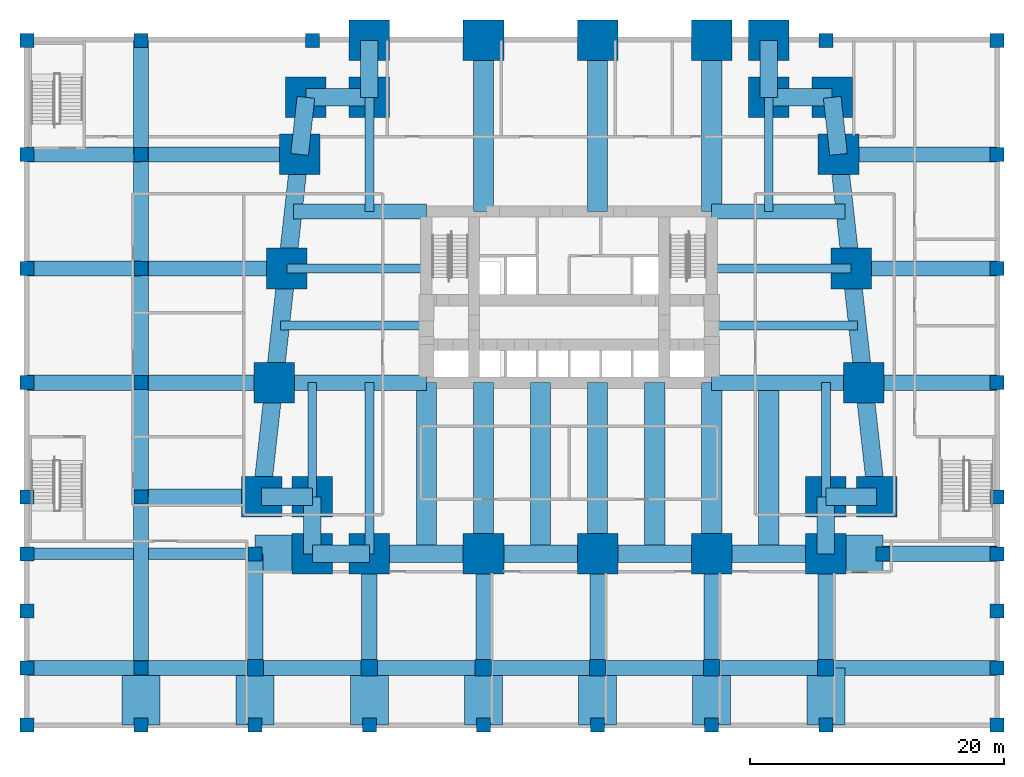
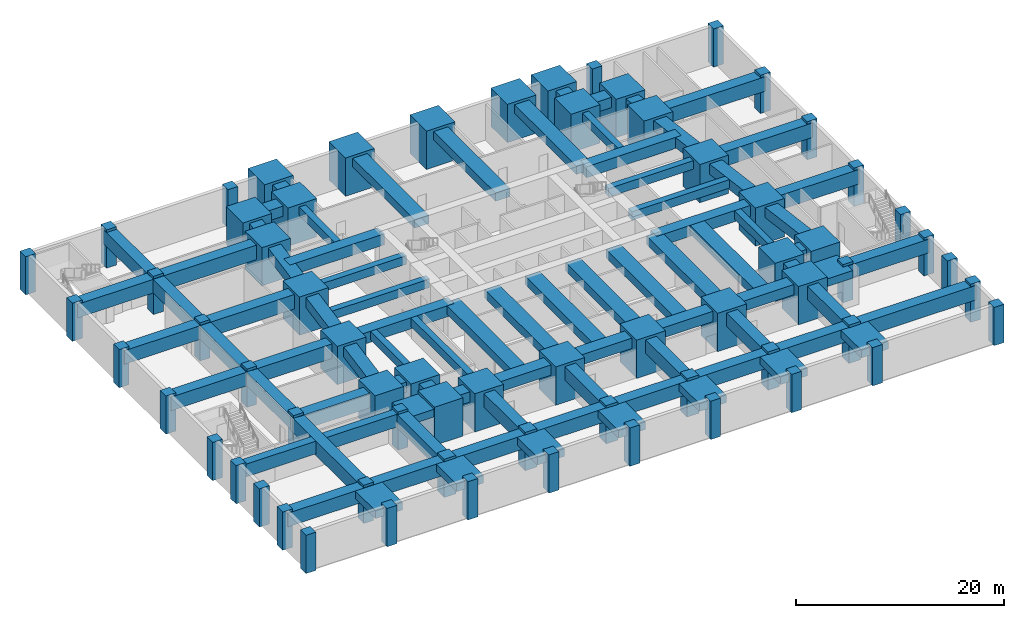
# One storey, part 1 of 8: 85 beams, 66 columns.
"""IFC4 building model written with IfcOpenShell, lengths in metres."""

import ifcopenshell
import ifcopenshell.guid

model = None  # the IFC model being written
_history = None  # IfcOwnerHistory: only IFC2X3 demands one
_inside = {}  # id of a spatial element -> (the spatial element, [elements in it])
_under = {}  # id of a project, library or spatial element -> (it, [spatial elements below it])
_declared = {}  # id of a project -> (the project, [libraries it declares])
_typed = {}  # id of a type object -> (the type object, [elements of that type])
_made_of = {}  # id of a material, layer set ... -> (it, [elements and type objects made of it])


def new_model(schema):
    """Start an empty IFC model of exactly this schema.

    Asked for "IFC4X3", IfcOpenShell would pick the latest addendum, in which some entities
    have other attributes; the version numbers below select the first issue.
    IFC2X3 requires an IfcOwnerHistory on every rooted entity: one is made here for all.
    """
    global model, _history
    if schema == "IFC4X3":
        model = ifcopenshell.file(schema_version=(4, 3, 0, 0))
    else:
        model = ifcopenshell.file(schema=schema)
    _inside.clear()
    _under.clear()
    _declared.clear()
    _typed.clear()
    _made_of.clear()
    _history = None
    if model.schema == "IFC2X3":
        org = make("IfcOrganization", Name="unknown")
        user = make(
            "IfcPersonAndOrganization",
            ThePerson=make("IfcPerson", FamilyName="unknown"),
            TheOrganization=org,
        )
        app = make(
            "IfcApplication",
            ApplicationDeveloper=org,
            Version="unknown",
            ApplicationFullName="unknown",
            ApplicationIdentifier="unknown",
        )
        _history = make(
            "IfcOwnerHistory",
            OwningUser=user,
            OwningApplication=app,
            ChangeAction="ADDED",
            CreationDate=0,
        )
    return model


def make(cls, **values):
    """One entity of the class cls with the attributes given. An attribute that is None is left unset."""
    return model.create_entity(
        cls, **{name: value for name, value in values.items() if value is not None}
    )


def rooted(cls, **values):
    """An entity with a GlobalId (a new one), such as an element, a storey or a relation."""
    return make(cls, GlobalId=ifcopenshell.guid.new(), OwnerHistory=_history, **values)


def si_unit(unit_type, name, prefix=None):
    """IfcSIUnit, for example si_unit("LENGTHUNIT", "METRE", prefix="MILLI")."""
    return make("IfcSIUnit", UnitType=unit_type, Prefix=prefix, Name=name)


def assignment(units):
    """IfcUnitAssignment: the units of a project."""
    return None if units is None else make("IfcUnitAssignment", Units=units)


def point(xyz):
    """IfcCartesianPoint."""
    return None if xyz is None else make("IfcCartesianPoint", Coordinates=xyz)


def direction(xyz):
    """IfcDirection."""
    return None if xyz is None else make("IfcDirection", DirectionRatios=xyz)


def frame(location, z_axis=None, x_axis=None):
    """IfcAxis2Placement3D, a coordinate frame: its origin and axes. An axis left out is left unset."""
    return make(
        "IfcAxis2Placement3D",
        Location=point(location),
        Axis=direction(z_axis),
        RefDirection=direction(x_axis),
    )


def frame_2d(location, x_axis=None):
    """IfcAxis2Placement2D, a coordinate frame in the plane: its origin and x axis."""
    return make(
        "IfcAxis2Placement2D", Location=point(location), RefDirection=direction(x_axis)
    )


def origin():
    """The frame at (0, 0, 0) with its axes left unset."""
    return frame((0.0, 0.0, 0.0))


def origin_2d():
    """The frame at (0, 0) in the plane with its x axis left unset."""
    return frame_2d((0.0, 0.0))


def place(relative_to, where):
    """IfcLocalPlacement: puts the frame where relative to a parent placement (None: the world)."""
    return make(
        "IfcLocalPlacement", PlacementRelTo=relative_to, RelativePlacement=where
    )


def context(
    kind, dimensions, precision=None, world=None, true_north=None, identifier=None
):
    """IfcGeometricRepresentationContext, for example the 3D "Model" context."""
    return make(
        "IfcGeometricRepresentationContext",
        ContextIdentifier=identifier,
        ContextType=kind,
        CoordinateSpaceDimension=dimensions,
        Precision=precision,
        WorldCoordinateSystem=world,
        TrueNorth=true_north,
    )


def subcontext(parent, identifier, kind, view, scale=None):
    """IfcGeometricRepresentationSubContext, for example "Body" below "Model"."""
    return make(
        "IfcGeometricRepresentationSubContext",
        ContextIdentifier=identifier,
        ContextType=kind,
        ParentContext=parent,
        TargetScale=scale,
        TargetView=view,
    )


def project(units=None, contexts=None):
    """IfcProject with its units and contexts."""
    return rooted(
        "IfcProject",
        Name="project",
        RepresentationContexts=contexts,
        UnitsInContext=assignment(units),
    )


def spatial(cls, under=None, at=None, **own):
    """A site, building, storey or space (cls), placed at a placement, below another one or the project."""
    s = rooted(cls, ObjectPlacement=at, **own)
    if under is not None:
        _under.setdefault(under.id(), (under, []))[1].append(s)
    return s


def profile(cls, at=None, kind="AREA", **sizes):
    """A parametric profile (cls). Its sizes go by their IFC names, for example OverallWidth=200.0."""
    return make(cls, ProfileType=kind, Position=at, **sizes)


def rectangle(**sizes):
    """IfcRectangleProfileDef."""
    return profile("IfcRectangleProfileDef", **sizes)


def extrude(swept, where, along, depth):
    """IfcExtrudedAreaSolid: the profile swept, set in the frame where, extruded along a direction by depth."""
    return make(
        "IfcExtrudedAreaSolid",
        SweptArea=swept,
        Position=where,
        ExtrudedDirection=direction(along),
        Depth=depth,
    )


def shape(context_of_items, identifier, shape_type, items):
    """IfcShapeRepresentation: the items that make up one representation, for example the "Body"."""
    return make(
        "IfcShapeRepresentation",
        ContextOfItems=context_of_items,
        RepresentationIdentifier=identifier,
        RepresentationType=shape_type,
        Items=items,
    )


def material(Name=None, Category=None):
    """IfcMaterial."""
    return make("IfcMaterial", Name=Name, Category=Category)


def material_profile(
    of_material, cross_section, Name=None, Category=None, Priority=None
):
    """IfcMaterialProfile: a cross section and its material."""
    return make(
        "IfcMaterialProfile",
        Name=Name,
        Material=of_material,
        Profile=cross_section,
        Priority=Priority,
        Category=Category,
    )


def profile_set(profiles, Name=None, composite=None):
    """IfcMaterialProfileSet."""
    return make(
        "IfcMaterialProfileSet",
        Name=Name,
        MaterialProfiles=profiles,
        CompositeProfile=composite,
    )


def made_of(thing, what):
    """Note that an element or type object is made of a material, layer set ...; save() writes the relation."""
    if what is not None:
        _made_of.setdefault(what.id(), (what, []))[1].append(thing)
    return thing


def type_object(cls, material=None, **own):
    """A type object (cls), such as IfcWallType, which elements share."""
    return made_of(rooted(cls, **own), material)


def element(
    cls,
    number,
    at=None,
    inside=None,
    cuts=None,
    type_object=None,
    material=None,
    context=None,
    identifier="Body",
    shape_type=None,
    held_by="IfcProductDefinitionShape",
    body=None,
    shapes=None,
    **own,
):
    """One element of the class cls, such as IfcWall. Its Tag is "e" and its number.

    at: its placement. inside: the storey or other place that contains it. cuts: it is an
    opening in that element (IfcRelVoidsElement). A single representation is given by context,
    identifier, shape_type and body (its items); several are given by shapes. held_by: the class
    of the entity that holds the representations. save() writes the other relations.
    """
    e = rooted(cls, Tag="e%d" % number, ObjectPlacement=at, **own)
    if body is not None:
        shapes = [shape(context, identifier, shape_type, body)]
    if shapes is not None:
        e.Representation = make(held_by, Representations=shapes)
    if inside is not None:
        _inside.setdefault(inside.id(), (inside, []))[1].append(e)
    if cuts is not None:
        rooted(
            "IfcRelVoidsElement", RelatingBuildingElement=cuts, RelatedOpeningElement=e
        )
    if type_object is not None:
        _typed.setdefault(type_object.id(), (type_object, []))[1].append(e)
    return made_of(e, material)


def aggregate(whole, parts):
    """IfcRelAggregates: a whole, such as a stair, and the parts it consists of."""
    return rooted("IfcRelAggregates", RelatingObject=whole, RelatedObjects=parts)


def save(model, path):
    """Write the relations noted so far, then the file.

    IfcRelAggregates (storeys below a building ...), IfcRelContainedInSpatialStructure (elements
    in a storey), IfcRelDefinesByType, IfcRelAssociatesMaterial and IfcRelDeclares: one each for
    every whole, place, type object, material and project.
    """
    for whole, parts in _under.values():
        aggregate(whole, parts)
    for where, things in _inside.values():
        rooted(
            "IfcRelContainedInSpatialStructure",
            RelatedElements=things,
            RelatingStructure=where,
        )
    for kind, things in _typed.values():
        rooted("IfcRelDefinesByType", RelatedObjects=things, RelatingType=kind)
    for what, things in _made_of.values():
        rooted("IfcRelAssociatesMaterial", RelatedObjects=things, RelatingMaterial=what)
    for by, libraries in _declared.values():
        rooted("IfcRelDeclares", RelatingContext=by, RelatedDefinitions=libraries)
    model.write(path)


model = new_model("IFC4")

# Units and contexts
model_context = context("Model", 3, precision=1e-05, world=origin(), true_north=direction((0.0, 1.0)))
body_context = subcontext(model_context, "Body", "Model", "MODEL_VIEW")
ifc_project = project(units=[si_unit("LENGTHUNIT", "METRE"), si_unit("AREAUNIT", "SQUARE_METRE"), si_unit("VOLUMEUNIT", "CUBIC_METRE"), si_unit("PLANEANGLEUNIT", "RADIAN"), si_unit("MASSUNIT", "GRAM", prefix="KILO")], contexts=[model_context])

# Site, building, storey
site_placement = place(None, origin())
site = spatial("IfcSite", under=ifc_project, at=site_placement, CompositionType="ELEMENT")
building_placement = place(site_placement, origin())
building = spatial("IfcBuilding", under=site, at=building_placement, Name="Kilele Tower Hotel", CompositionType="ELEMENT")
storey_placement = place(building_placement, frame((0.0, 0.0, -4.5)))
storey = spatial("IfcBuildingStorey", under=building, at=storey_placement, Name="B1", CompositionType="ELEMENT", Elevation=-4.5)

# Columns
ifc_material_1 = material(Name="Concrete C60/75", Category="concrete")
ifc_material_profile_1 = material_profile(ifc_material_1, rectangle(XDim=1.10009765625, YDim=1.10009765625, at=origin_2d()))
ifc_profile_set_1 = profile_set([ifc_material_profile_1], Name="Concrete C60/75")
column_type_1 = type_object("IfcColumnType", Name="Column RC 1100x1100 C60/75", PredefinedType="COLUMN", material=ifc_profile_set_1)
for number, where, z_axis, x_axis, name in (
    (1, (-18.0, -13.5, 0.0), (0.0, 0.0, 1.0), (1.0, 0.0, 0.0), "Column PC1 B1"),
    (2, (-9.0, -13.5, 0.0), (0.0, 0.0, 1.0), (1.0, 0.0, 0.0), "Column PC1 B1"),
    (3, (58.5, -13.5, 0.0), (0.0, 0.0, 1.0), (1.0, 0.0, 0.0), "Column PC1 B1"),
    (4, (-18.0, -4.5, 0.0), (0.0, 0.0, 1.0), (1.0, 0.0, 0.0), "Column PC1 B1"),
    (5, (58.5, -4.5, 0.0), (0.0, 0.0, 1.0), (1.0, 0.0, 0.0), "Column PC1 B1"),
    (6, (-18.0, 4.5, 0.0), (0.0, 0.0, 1.0), (1.0, 0.0, 0.0), "Column PC1 B1"),
    (7, (-9.0, 4.5, 0.0), (0.0, 0.0, 1.0), (1.0, 0.0, 0.0), "Column PC1 B1"),
    (8, (58.5, 4.5, 0.0), (0.0, 0.0, 1.0), (1.0, 0.0, 0.0), "Column PC1 B1"),
    (9, (-18.0, 13.5, 0.0), (0.0, 0.0, 1.0), (1.0, 0.0, 0.0), "Column PC1 B1"),
    (10, (-9.0, 13.5, 0.0), (0.0, 0.0, 1.0), (1.0, 0.0, 0.0), "Column PC1 B1"),
    (11, (58.5, 13.5, 0.0), (0.0, 0.0, 1.0), (1.0, 0.0, 0.0), "Column PC1 B1"),
    (12, (-18.0, 22.5, 0.0), (0.0, 0.0, 1.0), (1.0, 0.0, 0.0), "Column PC1 B1"),
    (13, (-9.0, 22.5, 0.0), (0.0, 0.0, 1.0), (1.0, 0.0, 0.0), "Column PC1 B1"),
    (14, (58.5, 22.5, 0.0), (0.0, 0.0, 1.0), (1.0, 0.0, 0.0), "Column PC1 B1"),
    (15, (-18.0, 31.5, 0.0), (0.0, 0.0, 1.0), (1.0, 0.0, 0.0), "Column PC1 B1"),
    (16, (-9.0, 31.5, 0.0), (0.0, 0.0, 1.0), (1.0, 0.0, 0.0), "Column PC1 B1"),
    (17, (58.5, 31.5, 0.0), (0.0, 0.0, 1.0), (1.0, 0.0, 0.0), "Column PC1 B1"),
    (18, (-18.0, 40.5, 0.0), (0.0, 0.0, 1.0), (1.0, 0.0, 0.0), "Column PC1 B1"),
    (19, (-9.0, 40.5, 0.0), (0.0, 0.0, 1.0), (1.0, 0.0, 0.0), "Column PC1 B1"),
    (20, (58.5, 40.5, 0.0), (0.0, 0.0, 1.0), (1.0, 0.0, 0.0), "Column PC1 B1"),
    (21, (-18.0, 0.0, 0.0), (0.0, 0.0, 1.0), (1.0, 0.0, 0.0), "Column PC1 B1"),
    (22, (58.5, 0.0, 0.0), (0.0, 0.0, 1.0), (1.0, 0.0, 0.0), "Column PC1 B1"),
    (23, (0.0, -13.5, 0.0), (0.0, 0.0, 1.0), (1.0, 0.0, 0.0), "Column PC1 B1"),
    (24, (9.0, -13.5, 0.0), (0.0, 0.0, 1.0), (1.0, 0.0, 0.0), "Column PC1 B1"),
    (25, (18.0, -13.5, 0.0), (0.0, 0.0, 1.0), (1.0, 0.0, 0.0), "Column PC1 B1"),
    (26, (27.0, -13.5, 0.0), (0.0, 0.0, 1.0), (1.0, 0.0, 0.0), "Column PC1 B1"),
    (27, (36.0, -13.5, 0.0), (0.0, 0.0, 1.0), (1.0, 0.0, 0.0), "Column PC1 B1"),
    (28, (45.0, -13.5, 0.0), (0.0, 0.0, 1.0), (1.0, 0.0, 0.0), "Column PC1 B1"),
    (29, (-18.0, -9.0, 0.0), (0.0, 0.0, 1.0), (1.0, 0.0, 0.0), "Column PC1 B1"),
    (30, (58.5, -9.0, 0.0), (0.0, 0.0, 1.0), (1.0, 0.0, 0.0), "Column PC1 B1"),
    (31, (-9.0, -9.0, 0.0), (0.0, 0.0, 1.0), (1.0, 0.0, 0.0), "Column PC1 B1"),
    (32, (0.0, 0.0, 0.0), (0.0, 0.0, 1.0), (1.0, 0.0, 0.0), "Column PC1 B1"),
    (33, (49.5, 0.0, 0.0), (0.0, 0.0, 1.0), (1.0, 0.0, 0.0), "Column PC1 B1"),
    (34, (4.5, 40.5, 0.0), (0.0, 0.0, 1.0), (1.0, 0.0, 0.0), "Column PC1 B1"),
    (35, (45.0, 40.5, 0.0), (0.0, 0.0, 1.0), (1.0, 0.0, 0.0), "Column PC1 B1"),
):
    element("IfcColumn", number, at=place(storey_placement, frame(where, z_axis=z_axis, x_axis=x_axis)), inside=storey, type_object=column_type_1, Name=name, PredefinedType="COLUMN", context=body_context, shape_type="SweptSolid", body=[
        extrude(rectangle(XDim=1.10009765625, YDim=1.10009765625, at=origin_2d()), origin(), (0.0, 0.0, 1.0), 4.5),
    ])
ifc_material_2 = material(Name="Concrete C60/75", Category="concrete")
ifc_material_profile_2 = material_profile(ifc_material_2, rectangle(XDim=1.300048828125, YDim=1.300048828125, at=origin_2d()))
ifc_profile_set_2 = profile_set([ifc_material_profile_2], Name="Concrete C60/75")
column_type_2 = type_object("IfcColumnType", Name="Column RC 1300x1300 C60/75", PredefinedType="COLUMN", material=ifc_profile_set_2)
for number, where, z_axis, x_axis, name in (
    (36, (0.0, -9.0, 0.0), (0.0, 0.0, 1.0), (1.0, 0.0, 0.0), "Column PC2 B1"),
    (37, (9.0, -9.0, 0.0), (0.0, 0.0, 1.0), (1.0, 0.0, 0.0), "Column PC2 B1"),
    (38, (18.0, -9.0, 0.0), (0.0, 0.0, 1.0), (1.0, 0.0, 0.0), "Column PC2 B1"),
    (39, (27.0, -9.0, 0.0), (0.0, 0.0, 1.0), (1.0, 0.0, 0.0), "Column PC2 B1"),
    (40, (36.0, -9.0, 0.0), (0.0, 0.0, 1.0), (1.0, 0.0, 0.0), "Column PC2 B1"),
    (41, (45.0, -9.0, 0.0), (0.0, 0.0, 1.0), (1.0, 0.0, 0.0), "Column PC2 B1"),
):
    element("IfcColumn", number, at=place(storey_placement, frame(where, z_axis=z_axis, x_axis=x_axis)), inside=storey, type_object=column_type_2, Name=name, PredefinedType="COLUMN", context=body_context, shape_type="SweptSolid", body=[
        extrude(rectangle(XDim=1.300048828125, YDim=1.300048828125, at=origin_2d()), origin(), (0.0, 0.0, 1.0), 4.5),
    ])
ifc_material_3 = material(Name="Concrete C80/95", Category="concrete")
ifc_material_profile_3 = material_profile(ifc_material_3, rectangle(XDim=3.199951171875, YDim=3.199951171875, at=origin_2d()))
ifc_profile_set_3 = profile_set([ifc_material_profile_3], Name="Concrete C80/95")
column_type_3 = type_object("IfcColumnType", Name="Mega column RC 3200x3200 C80/95", PredefinedType="COLUMN", material=ifc_profile_set_3)
for number, where, z_axis, x_axis, name in (
    (42, (0.5, 4.5, 0.0), (0.0, 0.0, 1.0), (1.0, 0.0, 0.0), "Column MC1 B1"),
    (43, (4.5, 4.5, 0.0), (0.0, 0.0, 1.0), (1.0, 0.0, 0.0), "Column MC1 B1"),
    (44, (4.5, 0.0, 0.0), (0.0, 0.0, 1.0), (1.0, 0.0, 0.0), "Column MC1 B1"),
    (45, (9.0, 0.0, 0.0), (0.0, 0.0, 1.0), (1.0, 0.0, 0.0), "Column MC1 B1"),
    (46, (18.0, 0.0, 0.0), (0.0, 0.0, 1.0), (1.0, 0.0, 0.0), "Column MC1 B1"),
    (47, (27.0, 0.0, 0.0), (0.0, 0.0, 1.0), (1.0, 0.0, 0.0), "Column MC1 B1"),
    (48, (36.0, 0.0, 0.0), (0.0, 0.0, 1.0), (1.0, 0.0, 0.0), "Column MC1 B1"),
    (49, (45.0, 0.0, 0.0), (0.0, 0.0, 1.0), (1.0, 0.0, 0.0), "Column MC1 B1"),
    (50, (45.0, 4.5, 0.0), (0.0, 0.0, 1.0), (1.0, 0.0, 0.0), "Column MC1 B1"),
    (51, (49.0, 4.5, 0.0), (0.0, 0.0, 1.0), (1.0, 0.0, 0.0), "Column MC1 B1"),
    (52, (48.0, 13.5, 0.0), (0.0, 0.0, 1.0), (1.0, 0.0, 0.0), "Column MC1 B1"),
    (53, (47.0, 22.5, 0.0), (0.0, 0.0, 1.0), (1.0, 0.0, 0.0), "Column MC1 B1"),
    (54, (46.0, 31.5, 0.0), (0.0, 0.0, 1.0), (1.0, 0.0, 0.0), "Column MC1 B1"),
    (55, (45.5, 36.0, 0.0), (0.0, 0.0, 1.0), (1.0, 0.0, 0.0), "Column MC1 B1"),
    (56, (40.5, 36.0, 0.0), (0.0, 0.0, 1.0), (1.0, 0.0, 0.0), "Column MC1 B1"),
    (57, (40.5, 40.5, 0.0), (0.0, 0.0, 1.0), (1.0, 0.0, 0.0), "Column MC1 B1"),
    (58, (36.0, 40.5, 0.0), (0.0, 0.0, 1.0), (1.0, 0.0, 0.0), "Column MC1 B1"),
    (59, (27.0, 40.5, 0.0), (0.0, 0.0, 1.0), (1.0, 0.0, 0.0), "Column MC1 B1"),
    (60, (18.0, 40.5, 0.0), (0.0, 0.0, 1.0), (1.0, 0.0, 0.0), "Column MC1 B1"),
    (61, (9.0, 40.5, 0.0), (0.0, 0.0, 1.0), (1.0, 0.0, 0.0), "Column MC1 B1"),
    (62, (9.0, 36.0, 0.0), (0.0, 0.0, 1.0), (1.0, 0.0, 0.0), "Column MC1 B1"),
    (63, (4.0, 36.0, 0.0), (0.0, 0.0, 1.0), (1.0, 0.0, 0.0), "Column MC1 B1"),
    (64, (3.5, 31.5, 0.0), (0.0, 0.0, 1.0), (1.0, 0.0, 0.0), "Column MC1 B1"),
    (65, (2.5, 22.5, 0.0), (0.0, 0.0, 1.0), (1.0, 0.0, 0.0), "Column MC1 B1"),
    (66, (1.5, 13.5, 0.0), (0.0, 0.0, 1.0), (1.0, 0.0, 0.0), "Column MC1 B1"),
):
    element("IfcColumn", number, at=place(storey_placement, frame(where, z_axis=z_axis, x_axis=x_axis)), inside=storey, type_object=column_type_3, Name=name, PredefinedType="COLUMN", context=body_context, shape_type="SweptSolid", body=[
        extrude(rectangle(XDim=3.199951171875, YDim=3.199951171875, at=origin_2d()), origin(), (0.0, 0.0, 1.0), 4.5),
    ])

# Beams
ifc_material_4 = material(Name="Concrete C60/75", Category="concrete")
ifc_material_profile_4 = material_profile(ifc_material_4, rectangle(XDim=1.199951171875, YDim=1.60009765625, at=origin_2d()))
ifc_profile_set_4 = profile_set([ifc_material_profile_4], Name="Concrete C60/75")
beam_type_1 = type_object("IfcBeamType", Name="Beam RC 1200x1600 C60/75", PredefinedType="BEAM", material=ifc_profile_set_4)
for number, where, z_axis, x_axis, name in (
    (67, (-9.0, 4.5, 3.39990234375), (0.0, 1.0, 0.0), (-1.0, 0.0, 0.0), "Beam PB2 level L00"),
    (68, (-18.0, 13.5, 3.39990234375), (1.0, 0.0, 0.0), (0.0, 1.0, 0.0), "Beam PB2 level L00"),
    (69, (-9.0, 13.5, 3.39990234375), (0.0, 1.0, 0.0), (-1.0, 0.0, 0.0), "Beam PB2 level L00"),
    (70, (-18.0, 22.5, 3.39990234375), (1.0, 0.0, 0.0), (0.0, 1.0, 0.0), "Beam PB2 level L00"),
    (71, (-9.0, 22.5, 3.39990234375), (0.0, 1.0, 0.0), (-1.0, 0.0, 0.0), "Beam PB2 level L00"),
    (72, (-18.0, 31.5, 3.39990234375), (1.0, 0.0, 0.0), (0.0, 1.0, 0.0), "Beam PB2 level L00"),
    (73, (-9.0, 31.5, 3.39990234375), (0.0, 1.0, 0.0), (-1.0, 0.0, 0.0), "Beam PB2 level L00"),
    (74, (0.0, -9.0, 3.39990234375), (1.0, 0.0, 0.0), (0.0, 1.0, 0.0), "Beam PB2 level L00"),
    (75, (0.0, -9.0, 3.39990234375), (0.0, 1.0, 0.0), (-1.0, 0.0, 0.0), "Beam PB2 level L00"),
    (76, (9.0, -9.0, 3.39990234375), (0.0, 1.0, 0.0), (-1.0, 0.0, 0.0), "Beam PB2 level L00"),
    (77, (9.0, -9.0, 3.39990234375), (1.0, 0.0, 0.0), (0.0, 1.0, 0.0), "Beam PB2 level L00"),
    (78, (18.0, -9.0, 3.39990234375), (0.0, 1.0, 0.0), (-1.0, 0.0, 0.0), "Beam PB2 level L00"),
    (79, (18.0, -9.0, 3.39990234375), (1.0, 0.0, 0.0), (0.0, 1.0, 0.0), "Beam PB2 level L00"),
    (80, (27.0, -9.0, 3.39990234375), (0.0, 1.0, 0.0), (-1.0, 0.0, 0.0), "Beam PB2 level L00"),
    (81, (27.0, -9.0, 3.39990234375), (1.0, 0.0, 0.0), (0.0, 1.0, 0.0), "Beam PB2 level L00"),
    (82, (36.0, -9.0, 3.39990234375), (0.0, 1.0, 0.0), (-1.0, 0.0, 0.0), "Beam PB2 level L00"),
    (83, (36.0, -9.0, 3.39990234375), (1.0, 0.0, 0.0), (0.0, 1.0, 0.0), "Beam PB2 level L00"),
    (84, (45.0, -9.0, 3.39990234375), (0.0, 1.0, 0.0), (-1.0, 0.0, 0.0), "Beam PB2 level L00"),
    (85, (-18.0, -9.0, 3.39990234375), (1.0, 0.0, 0.0), (0.0, 1.0, 0.0), "Beam PB2 level L00"),
    (86, (-9.0, -9.0, 3.39990234375), (1.0, 0.0, 0.0), (0.0, 1.0, 0.0), "Beam PB2 level L00"),
    (87, (49.5, 0.0, 3.39990234375), (1.0, 0.0, 0.0), (0.0, 1.0, 0.0), "Beam PB2 level L00"),
):
    element("IfcBeam", number, at=place(storey_placement, frame(where, z_axis=z_axis, x_axis=x_axis)), inside=storey, type_object=beam_type_1, Name=name, PredefinedType="BEAM", context=body_context, shape_type="SweptSolid", body=[
        extrude(rectangle(XDim=1.199951171875, YDim=1.60009765625, at=origin_2d()), origin(), (0.0, 0.0, 1.0), 9.0),
    ])
ifc_material_5 = material(Name="Concrete C60/75", Category="concrete")
ifc_material_profile_5 = material_profile(ifc_material_5, rectangle(XDim=1.199951171875, YDim=1.699951171875, at=origin_2d()))
ifc_profile_set_5 = profile_set([ifc_material_profile_5], Name="Concrete C60/75")
beam_type_2 = type_object("IfcBeamType", Name="Beam RC 1200x1700 C60/75", PredefinedType="BEAM", material=ifc_profile_set_5)
for number, where, z_axis, x_axis, name in (
    (88, (46.0, 31.5, 3.35009765625), (1.0, 0.0, 0.0), (0.0, 1.0, 0.0), "Beam PB3 level L00"),
    (89, (-9.0, 31.5, 3.35009765625), (1.0, 0.0, 0.0), (0.0, 1.0, 0.0), "Beam PB3 level L00"),
):
    element("IfcBeam", number, at=place(storey_placement, frame(where, z_axis=z_axis, x_axis=x_axis)), inside=storey, type_object=beam_type_2, Name=name, PredefinedType="BEAM", context=body_context, shape_type="SweptSolid", body=[
        extrude(rectangle(XDim=1.199951171875, YDim=1.699951171875, at=origin_2d()), origin(), (0.0, 0.0, 1.0), 12.5),
    ])
for number, where, z_axis, x_axis, name in (
    (90, (45.0, -9.0, 3.35009765625), (1.0, 0.0, 0.0), (0.0, 1.0, 0.0), "Beam PB3 level L00"),
    (91, (-9.0, -9.0, 3.35009765625), (0.0, 1.0, 0.0), (-1.0, 0.0, 0.0), "Beam PB3 level L00"),
):
    element("IfcBeam", number, at=place(storey_placement, frame(where, z_axis=z_axis, x_axis=x_axis)), inside=storey, type_object=beam_type_2, Name=name, PredefinedType="BEAM", context=body_context, shape_type="SweptSolid", body=[
        extrude(rectangle(XDim=1.199951171875, YDim=1.699951171875, at=origin_2d()), origin(), (0.0, 0.0, 1.0), 13.5),
    ])
ifc_material_6 = material(Name="Concrete C60/75", Category="concrete")
ifc_material_profile_6 = material_profile(ifc_material_6, rectangle(XDim=1.199951171875, YDim=1.699951171875, at=origin_2d()))
ifc_profile_set_6 = profile_set([ifc_material_profile_6], Name="Concrete C60/75")
beam_type_3 = type_object("IfcBeamType", Name="Beam RC 1200x1700 C60/75 mid span", PredefinedType="BEAM", material=ifc_profile_set_6)
beam_1_placement = place(storey_placement, frame((48.0, 13.5, 3.35009765625), z_axis=(1.0, 0.0, 0.0), x_axis=(0.0, 1.0, 0.0)))
element("IfcBeam", 92, at=beam_1_placement, inside=storey, type_object=beam_type_3, Name="Beam PB4 level L00", PredefinedType="BEAM", context=body_context, shape_type="SweptSolid", body=[
    extrude(rectangle(XDim=1.199951171875, YDim=1.699951171875, at=origin_2d()), origin(), (0.0, 0.0, 1.0), 10.5),
])
beam_2_placement = place(storey_placement, frame((47.0, 22.5, 3.35009765625), z_axis=(1.0, 0.0, 0.0), x_axis=(0.0, 1.0, 0.0)))
element("IfcBeam", 93, at=beam_2_placement, inside=storey, type_object=beam_type_3, Name="Beam PB4 level L00", PredefinedType="BEAM", context=body_context, shape_type="SweptSolid", body=[
    extrude(rectangle(XDim=1.199951171875, YDim=1.699951171875, at=origin_2d()), origin(), (0.0, 0.0, 1.0), 11.5),
])
beam_3_placement = place(storey_placement, frame((-9.0, 4.5, 3.35009765625), z_axis=(1.0, 0.0, 0.0), x_axis=(0.0, 1.0, 0.0)))
element("IfcBeam", 94, at=beam_3_placement, inside=storey, type_object=beam_type_3, Name="Beam PB4 level L00", PredefinedType="BEAM", context=body_context, shape_type="SweptSolid", body=[
    extrude(rectangle(XDim=1.199951171875, YDim=1.699951171875, at=origin_2d()), origin(), (0.0, 0.0, 1.0), 9.5),
])
beam_4_placement = place(storey_placement, frame((-9.0, 13.5, 3.35009765625), z_axis=(1.0, 0.0, 0.0), x_axis=(0.0, 1.0, 0.0)))
element("IfcBeam", 95, at=beam_4_placement, inside=storey, type_object=beam_type_3, Name="Beam PB4 level L00", PredefinedType="BEAM", context=body_context, shape_type="SweptSolid", body=[
    extrude(rectangle(XDim=1.199951171875, YDim=1.699951171875, at=origin_2d()), origin(), (0.0, 0.0, 1.0), 10.5),
])
beam_5_placement = place(storey_placement, frame((-9.0, 22.5, 3.35009765625), z_axis=(1.0, 0.0, 0.0), x_axis=(0.0, 1.0, 0.0)))
element("IfcBeam", 96, at=beam_5_placement, inside=storey, type_object=beam_type_3, Name="Beam PB4 level L00", PredefinedType="BEAM", context=body_context, shape_type="SweptSolid", body=[
    extrude(rectangle(XDim=1.199951171875, YDim=1.699951171875, at=origin_2d()), origin(), (0.0, 0.0, 1.0), 11.5),
])
ifc_material_7 = material(Name="Concrete C60/75", Category="concrete")
ifc_material_profile_7 = material_profile(ifc_material_7, rectangle(XDim=1.60009765625, YDim=1.0, at=origin_2d()))
ifc_profile_set_7 = profile_set([ifc_material_profile_7], Name="Concrete C60/75")
beam_type_4 = type_object("IfcBeamType", Name="Beam RC 1600x1000 C60/75", PredefinedType="BEAM", material=ifc_profile_set_7)
for number, where, z_axis, x_axis, name in (
    (97, (13.5, 0.0, 3.699951171875), (0.0, 1.0, 0.0), (-1.0, 0.0, 0.0), "Beam BC1 level L00"),
    (98, (18.0, 0.0, 3.699951171875), (0.0, 1.0, 0.0), (-1.0, 0.0, 0.0), "Beam BC1 level L00"),
    (99, (22.5, 0.0, 3.699951171875), (0.0, 1.0, 0.0), (-1.0, 0.0, 0.0), "Beam BC1 level L00"),
    (100, (27.0, 0.0, 3.699951171875), (0.0, 1.0, 0.0), (-1.0, 0.0, 0.0), "Beam BC1 level L00"),
    (101, (31.5, 0.0, 3.699951171875), (0.0, 1.0, 0.0), (-1.0, 0.0, 0.0), "Beam BC1 level L00"),
    (102, (36.0, 0.0, 3.699951171875), (0.0, 1.0, 0.0), (-1.0, 0.0, 0.0), "Beam BC1 level L00"),
    (103, (40.5, 0.0, 3.699951171875), (0.0, 1.0, 0.0), (-1.0, 0.0, 0.0), "Beam BC1 level L00"),
    (104, (36.0, 40.5, 3.699951171875), (0.0, -1.0, 0.0), (1.0, 0.0, 0.0), "Beam BC1 level L00"),
    (105, (27.0, 40.5, 3.699951171875), (0.0, -1.0, 0.0), (1.0, 0.0, 0.0), "Beam BC1 level L00"),
    (106, (18.0, 40.5, 3.699951171875), (0.0, -1.0, 0.0), (1.0, 0.0, 0.0), "Beam BC1 level L00"),
):
    element("IfcBeam", number, at=place(storey_placement, frame(where, z_axis=z_axis, x_axis=x_axis)), inside=storey, type_object=beam_type_4, Name=name, PredefinedType="BEAM", context=body_context, shape_type="SweptSolid", body=[
        extrude(rectangle(XDim=1.60009765625, YDim=1.0, at=origin_2d()), origin(), (0.0, 0.0, 1.0), 13.5),
    ])
ifc_material_8 = material(Name="Concrete C60/75", Category="concrete")
ifc_material_profile_8 = material_profile(ifc_material_8, rectangle(XDim=3.0, YDim=0.89990234375, at=origin_2d()))
ifc_profile_set_8 = profile_set([ifc_material_profile_8], Name="Concrete C60/75")
beam_type_5 = type_object("IfcBeamType", Name="Beam RC 3000x900 C60/75", PredefinedType="BEAM", material=ifc_profile_set_8)
for number, where, z_axis, x_axis, name in (
    (107, (45.0, 0.0, 3.75), (1.0, 0.0, 0.0), (0.0, 1.0, 0.0), "Beam PB1 level L00"),
    (108, (-9.0, -13.5, 3.75), (0.0, 1.0, 0.0), (-1.0, 0.0, 0.0), "Beam PB1 level L00"),
    (109, (0.0, -13.5, 3.75), (0.0, 1.0, 0.0), (-1.0, 0.0, 0.0), "Beam PB1 level L00"),
    (110, (9.0, -13.5, 3.75), (0.0, 1.0, 0.0), (-1.0, 0.0, 0.0), "Beam PB1 level L00"),
    (111, (18.0, -13.5, 3.75), (0.0, 1.0, 0.0), (-1.0, 0.0, 0.0), "Beam PB1 level L00"),
    (112, (27.0, -13.5, 3.75), (0.0, 1.0, 0.0), (-1.0, 0.0, 0.0), "Beam PB1 level L00"),
    (113, (36.0, -13.5, 3.75), (0.0, 1.0, 0.0), (-1.0, 0.0, 0.0), "Beam PB1 level L00"),
    (114, (45.0, -13.5, 3.75), (0.0, 1.0, 0.0), (-1.0, 0.0, 0.0), "Beam PB1 level L00"),
    (115, (0.0, 0.0, 3.75), (1.0, 0.0, 0.0), (0.0, 1.0, 0.0), "Beam PB1 level L00"),
):
    element("IfcBeam", number, at=place(storey_placement, frame(where, z_axis=z_axis, x_axis=x_axis)), inside=storey, type_object=beam_type_5, Name=name, PredefinedType="BEAM", context=body_context, shape_type="SweptSolid", body=[
        extrude(rectangle(XDim=3.0, YDim=0.89990234375, at=origin_2d()), origin(), (0.0, 0.0, 1.0), 4.5),
    ])
ifc_material_9 = material(Name="Concrete C60/75", Category="concrete")
ifc_material_profile_9 = material_profile(ifc_material_9, rectangle(XDim=0.699951171875, YDim=1.0, at=origin_2d()))
ifc_profile_set_9 = profile_set([ifc_material_profile_9], Name="Concrete C60/75")
beam_type_6 = type_object("IfcBeamType", Name="Beam RC 700x1000 C60/75", PredefinedType="BEAM", material=ifc_profile_set_9)
beam_6_placement = place(storey_placement, frame((9.0, 0.0, 3.699951171875), z_axis=(0.0, 1.0, 0.0), x_axis=(-1.0, 0.0, 0.0)))
element("IfcBeam", 116, at=beam_6_placement, inside=storey, type_object=beam_type_6, Name="Beam B4 level L00", PredefinedType="BEAM", context=body_context, shape_type="SweptSolid", body=[
    extrude(rectangle(XDim=0.699951171875, YDim=1.0, at=origin_2d()), origin(), (0.0, 0.0, 1.0), 13.5),
])
ifc_material_10 = material(Name="Concrete C60/75", Category="concrete")
ifc_material_profile_10 = material_profile(ifc_material_10, rectangle(XDim=0.699951171875, YDim=1.0, at=origin_2d()))
ifc_profile_set_10 = profile_set([ifc_material_profile_10], Name="Concrete C60/75")
beam_type_7 = type_object("IfcBeamType", Name="Beam RC 700x1000 C60/75 mid span", PredefinedType="BEAM", material=ifc_profile_set_10)
for number, where, z_axis, x_axis, name in (
    (117, (4.5, 4.5, 3.699951171875), (0.0, 1.0, 0.0), (-1.0, 0.0, 0.0), "Beam B5 level L00"),
    (118, (45.0, 4.5, 3.699951171875), (0.0, 1.0, 0.0), (-1.0, 0.0, 0.0), "Beam B5 level L00"),
):
    element("IfcBeam", number, at=place(storey_placement, frame(where, z_axis=z_axis, x_axis=x_axis)), inside=storey, type_object=beam_type_7, Name=name, PredefinedType="BEAM", context=body_context, shape_type="SweptSolid", body=[
        extrude(rectangle(XDim=0.699951171875, YDim=1.0, at=origin_2d()), origin(), (0.0, 0.0, 1.0), 9.0),
    ])
beam_7_placement = place(storey_placement, frame((47.5, 18.0, 3.699951171875), z_axis=(-1.0, 0.0, 0.0), x_axis=(0.0, -1.0, 0.0)))
element("IfcBeam", 119, at=beam_7_placement, inside=storey, type_object=beam_type_7, Name="Beam B5 level L00", PredefinedType="BEAM", context=body_context, shape_type="SweptSolid", body=[
    extrude(rectangle(XDim=0.699951171875, YDim=1.0, at=origin_2d()), origin(), (0.0, 0.0, 1.0), 11.5),
])
beam_8_placement = place(storey_placement, frame((47.0, 22.5, 3.699951171875), z_axis=(-1.0, 0.0, 0.0), x_axis=(0.0, -1.0, 0.0)))
element("IfcBeam", 120, at=beam_8_placement, inside=storey, type_object=beam_type_7, Name="Beam B5 level L00", PredefinedType="BEAM", context=body_context, shape_type="SweptSolid", body=[
    extrude(rectangle(XDim=0.699951171875, YDim=1.0, at=origin_2d()), origin(), (0.0, 0.0, 1.0), 11.0),
])
for number, where, z_axis, x_axis, name in (
    (121, (40.5, 36.0, 3.699951171875), (0.0, -1.0, 0.0), (1.0, 0.0, 0.0), "Beam B5 level L00"),
    (122, (9.0, 36.0, 3.699951171875), (0.0, -1.0, 0.0), (1.0, 0.0, 0.0), "Beam B5 level L00"),
):
    element("IfcBeam", number, at=place(storey_placement, frame(where, z_axis=z_axis, x_axis=x_axis)), inside=storey, type_object=beam_type_7, Name=name, PredefinedType="BEAM", context=body_context, shape_type="SweptSolid", body=[
        extrude(rectangle(XDim=0.699951171875, YDim=1.0, at=origin_2d()), origin(), (0.0, 0.0, 1.0), 9.0),
    ])
beam_9_placement = place(storey_placement, frame((2.5, 22.5, 3.699951171875), z_axis=(1.0, 0.0, 0.0), x_axis=(0.0, 1.0, 0.0)))
element("IfcBeam", 123, at=beam_9_placement, inside=storey, type_object=beam_type_7, Name="Beam B5 level L00", PredefinedType="BEAM", context=body_context, shape_type="SweptSolid", body=[
    extrude(rectangle(XDim=0.699951171875, YDim=1.0, at=origin_2d()), origin(), (0.0, 0.0, 1.0), 11.0),
])
beam_10_placement = place(storey_placement, frame((2.0, 18.0, 3.699951171875), z_axis=(1.0, 0.0, 0.0), x_axis=(0.0, 1.0, 0.0)))
element("IfcBeam", 124, at=beam_10_placement, inside=storey, type_object=beam_type_7, Name="Beam B5 level L00", PredefinedType="BEAM", context=body_context, shape_type="SweptSolid", body=[
    extrude(rectangle(XDim=0.699951171875, YDim=1.0, at=origin_2d()), origin(), (0.0, 0.0, 1.0), 11.5),
])
ifc_material_11 = material(Name="Concrete C60/75", Category="concrete")
ifc_material_profile_11 = material_profile(ifc_material_11, rectangle(XDim=0.89990234375, YDim=1.5, at=origin_2d()))
ifc_profile_set_11 = profile_set([ifc_material_profile_11], Name="Concrete C60/75")
beam_type_8 = type_object("IfcBeamType", Name="Beam RC 900x1500 C60/75 mid span", PredefinedType="BEAM", material=ifc_profile_set_11)
for number, where, z_axis, x_axis, name in (
    (125, (-18.0, 0.0, 3.449951171875), (1.0, 0.0, 0.0), (0.0, 1.0, 0.0), "Long-span beam LB2 level L00"),
    (126, (-8.39990234375, 0.0, 3.449951171875), (1.0, 0.0, 0.0), (0.0, 1.0, 0.0), "Long-span beam LB2 level L00"),
):
    element("IfcBeam", number, at=place(storey_placement, frame(where, z_axis=z_axis, x_axis=x_axis)), inside=storey, type_object=beam_type_8, Name=name, PredefinedType="BEAM", context=body_context, shape_type="SweptSolid", body=[
        extrude(rectangle(XDim=0.89990234375, YDim=1.5, at=origin_2d()), origin(), (0.0, 0.0, 1.0), 8.39990234375),
    ])
ifc_material_12 = material(Name="Concrete C60/75", Category="concrete")
ifc_material_profile_12 = material_profile(ifc_material_12, rectangle(XDim=1.199951171875, YDim=1.300048828125, at=origin_2d()))
ifc_profile_set_12 = profile_set([ifc_material_profile_12], Name="Concrete C60/75")
beam_type_9 = type_object("IfcBeamType", Name="Girder RC 1200x1300 C60/75", PredefinedType="BEAM", material=ifc_profile_set_12)
for number, where, z_axis, x_axis, name in (
    (127, (48.0, 13.5, 3.550048828125), (-1.0, 0.0, 0.0), (0.0, -1.0, 0.0), "Girder G1 level L00"),
    (128, (1.5, 13.5, 3.550048828125), (1.0, 0.0, 0.0), (0.0, 1.0, 0.0), "Girder G1 level L00"),
):
    element("IfcBeam", number, at=place(storey_placement, frame(where, z_axis=z_axis, x_axis=x_axis)), inside=storey, type_object=beam_type_9, Name=name, PredefinedType="BEAM", context=body_context, shape_type="SweptSolid", body=[
        extrude(rectangle(XDim=1.199951171875, YDim=1.300048828125, at=origin_2d()), origin(), (0.0, 0.0, 1.0), 12.0),
    ])
ifc_material_13 = material(Name="Concrete C60/75", Category="concrete")
ifc_material_profile_13 = material_profile(ifc_material_13, rectangle(XDim=1.199951171875, YDim=1.300048828125, at=origin_2d()))
ifc_profile_set_13 = profile_set([ifc_material_profile_13], Name="Concrete C60/75")
beam_type_10 = type_object("IfcBeamType", Name="Girder RC 1200x1300 C60/75 mid span", PredefinedType="BEAM", material=ifc_profile_set_13)
for number, where, z_axis, x_axis, name in (
    (129, (46.5, 27.0, 3.550048828125), (-1.0, 0.0, 0.0), (0.0, -1.0, 0.0), "Girder G3 level L00"),
    (130, (3.0, 27.0, 3.550048828125), (1.0, 0.0, 0.0), (0.0, 1.0, 0.0), "Girder G3 level L00"),
):
    element("IfcBeam", number, at=place(storey_placement, frame(where, z_axis=z_axis, x_axis=x_axis)), inside=storey, type_object=beam_type_10, Name=name, PredefinedType="BEAM", context=body_context, shape_type="SweptSolid", body=[
        extrude(rectangle(XDim=1.199951171875, YDim=1.300048828125, at=origin_2d()), origin(), (0.0, 0.0, 1.0), 10.5),
    ])
ifc_material_14 = material(Name="Concrete C60/75", Category="concrete")
ifc_material_profile_14 = material_profile(ifc_material_14, rectangle(XDim=1.39990234375, YDim=1.199951171875, at=origin_2d()))
ifc_profile_set_14 = profile_set([ifc_material_profile_14], Name="Concrete C60/75")
beam_type_11 = type_object("IfcBeamType", Name="Spandrel RC 1400x1200 C60/75", PredefinedType="SPANDREL", material=ifc_profile_set_14)
beam_11_placement = place(storey_placement, frame((0.5, 4.5, 3.60009765625), z_axis=(1.0, 0.0, 0.0), x_axis=(0.0, 1.0, 0.0)))
element("IfcBeam", 131, at=beam_11_placement, inside=storey, type_object=beam_type_11, Name="Spandrel SP10 level L00", PredefinedType="SPANDREL", context=body_context, shape_type="SweptSolid", body=[
    extrude(rectangle(XDim=1.39990234375, YDim=1.199951171875, at=origin_2d()), origin(), (0.0, 0.0, 1.0), 4.0),
])
for number, where, z_axis, x_axis, name in (
    (132, (4.5, 4.5, 3.60009765625), (0.0, -1.0, 0.0), (1.0, 0.0, 0.0), "Spandrel SP10 level L00"),
    (133, (4.5, 0.0, 3.60009765625), (1.0, 0.0, 0.0), (0.0, 1.0, 0.0), "Spandrel SP10 level L00"),
):
    element("IfcBeam", number, at=place(storey_placement, frame(where, z_axis=z_axis, x_axis=x_axis)), inside=storey, type_object=beam_type_11, Name=name, PredefinedType="SPANDREL", context=body_context, shape_type="SweptSolid", body=[
        extrude(rectangle(XDim=1.39990234375, YDim=1.199951171875, at=origin_2d()), origin(), (0.0, 0.0, 1.0), 4.5),
    ])
for number, where, z_axis, x_axis, name in (
    (134, (9.0, 0.0, 3.60009765625), (1.0, 0.0, 0.0), (0.0, 1.0, 0.0), "Spandrel SP10 level L00"),
    (135, (18.0, 0.0, 3.60009765625), (1.0, 0.0, 0.0), (0.0, 1.0, 0.0), "Spandrel SP10 level L00"),
    (136, (27.0, 0.0, 3.60009765625), (1.0, 0.0, 0.0), (0.0, 1.0, 0.0), "Spandrel SP10 level L00"),
    (137, (36.0, 0.0, 3.60009765625), (1.0, 0.0, 0.0), (0.0, 1.0, 0.0), "Spandrel SP10 level L00"),
):
    element("IfcBeam", number, at=place(storey_placement, frame(where, z_axis=z_axis, x_axis=x_axis)), inside=storey, type_object=beam_type_11, Name=name, PredefinedType="SPANDREL", context=body_context, shape_type="SweptSolid", body=[
        extrude(rectangle(XDim=1.39990234375, YDim=1.199951171875, at=origin_2d()), origin(), (0.0, 0.0, 1.0), 9.0),
    ])
beam_12_placement = place(storey_placement, frame((45.0, 0.0, 3.60009765625), z_axis=(0.0, 1.0, 0.0), x_axis=(-1.0, 0.0, 0.0)))
element("IfcBeam", 138, at=beam_12_placement, inside=storey, type_object=beam_type_11, Name="Spandrel SP10 level L00", PredefinedType="SPANDREL", context=body_context, shape_type="SweptSolid", body=[
    extrude(rectangle(XDim=1.39990234375, YDim=1.199951171875, at=origin_2d()), origin(), (0.0, 0.0, 1.0), 4.5),
])
beam_13_placement = place(storey_placement, frame((45.0, 4.5, 3.60009765625), z_axis=(1.0, 0.0, 0.0), x_axis=(0.0, 1.0, 0.0)))
element("IfcBeam", 139, at=beam_13_placement, inside=storey, type_object=beam_type_11, Name="Spandrel SP10 level L00", PredefinedType="SPANDREL", context=body_context, shape_type="SweptSolid", body=[
    extrude(rectangle(XDim=1.39990234375, YDim=1.199951171875, at=origin_2d()), origin(), (0.0, 0.0, 1.0), 4.0),
])
for number, where, z_axis, x_axis, name in (
    (140, (49.0, 4.5, 3.60009765625), (-0.110431526075, 0.993883734674, 0.0), (-0.993883734674, -0.110431526075, 0.0), "Spandrel SP10 level L00"),
    (141, (48.0, 13.5, 3.60009765625), (-0.110431526075, 0.993883734674, 0.0), (-0.993883734674, -0.110431526075, 0.0), "Spandrel SP10 level L00"),
    (142, (47.0, 22.5, 3.60009765625), (-0.110431526075, 0.993883734674, 0.0), (-0.993883734674, -0.110431526075, 0.0), "Spandrel SP10 level L00"),
):
    element("IfcBeam", number, at=place(storey_placement, frame(where, z_axis=z_axis, x_axis=x_axis)), inside=storey, type_object=beam_type_11, Name=name, PredefinedType="SPANDREL", context=body_context, shape_type="SweptSolid", body=[
        extrude(rectangle(XDim=1.39990234375, YDim=1.199951171875, at=origin_2d()), origin(), (0.0, 0.0, 1.0), 9.055419921875),
    ])
beam_14_placement = place(storey_placement, frame((46.0, 31.5, 3.60009765625), z_axis=(-0.110431526075, 0.993883734674, 0.0), x_axis=(-0.993883734674, -0.110431526075, 0.0)))
element("IfcBeam", 143, at=beam_14_placement, inside=storey, type_object=beam_type_11, Name="Spandrel SP10 level L00", PredefinedType="SPANDREL", context=body_context, shape_type="SweptSolid", body=[
    extrude(rectangle(XDim=1.39990234375, YDim=1.199951171875, at=origin_2d()), origin(), (0.0, 0.0, 1.0), 4.527587890625),
])
beam_15_placement = place(storey_placement, frame((45.5, 36.0, 3.60009765625), z_axis=(-1.0, 0.0, 0.0), x_axis=(0.0, -1.0, 0.0)))
element("IfcBeam", 144, at=beam_15_placement, inside=storey, type_object=beam_type_11, Name="Spandrel SP10 level L00", PredefinedType="SPANDREL", context=body_context, shape_type="SweptSolid", body=[
    extrude(rectangle(XDim=1.39990234375, YDim=1.199951171875, at=origin_2d()), origin(), (0.0, 0.0, 1.0), 5.0),
])
for number, where, z_axis, x_axis, name in (
    (145, (40.5, 36.0, 3.60009765625), (0.0, 1.0, 0.0), (-1.0, 0.0, 0.0), "Spandrel SP10 level L00"),
    (146, (9.0, 40.5, 3.60009765625), (0.0, -1.0, 0.0), (1.0, 0.0, 0.0), "Spandrel SP10 level L00"),
):
    element("IfcBeam", number, at=place(storey_placement, frame(where, z_axis=z_axis, x_axis=x_axis)), inside=storey, type_object=beam_type_11, Name=name, PredefinedType="SPANDREL", context=body_context, shape_type="SweptSolid", body=[
        extrude(rectangle(XDim=1.39990234375, YDim=1.199951171875, at=origin_2d()), origin(), (0.0, 0.0, 1.0), 4.5),
    ])
beam_16_placement = place(storey_placement, frame((9.0, 36.0, 3.60009765625), z_axis=(-1.0, 0.0, 0.0), x_axis=(0.0, -1.0, 0.0)))
element("IfcBeam", 147, at=beam_16_placement, inside=storey, type_object=beam_type_11, Name="Spandrel SP10 level L00", PredefinedType="SPANDREL", context=body_context, shape_type="SweptSolid", body=[
    extrude(rectangle(XDim=1.39990234375, YDim=1.199951171875, at=origin_2d()), origin(), (0.0, 0.0, 1.0), 5.0),
])
beam_17_placement = place(storey_placement, frame((4.0, 36.0, 3.60009765625), z_axis=(-0.110431526075, -0.993883734674, 0.0), x_axis=(0.993883734674, -0.110431526075, 0.0)))
element("IfcBeam", 148, at=beam_17_placement, inside=storey, type_object=beam_type_11, Name="Spandrel SP10 level L00", PredefinedType="SPANDREL", context=body_context, shape_type="SweptSolid", body=[
    extrude(rectangle(XDim=1.39990234375, YDim=1.199951171875, at=origin_2d()), origin(), (0.0, 0.0, 1.0), 4.527587890625),
])
for number, where, z_axis, x_axis, name in (
    (149, (3.5, 31.5, 3.60009765625), (-0.110431526075, -0.993883734674, 0.0), (0.993883734674, -0.110431526075, 0.0), "Spandrel SP10 level L00"),
    (150, (2.5, 22.5, 3.60009765625), (-0.110431526075, -0.993883734674, 0.0), (0.993883734674, -0.110431526075, 0.0), "Spandrel SP10 level L00"),
    (151, (1.5, 13.5, 3.60009765625), (-0.110431526075, -0.993883734674, 0.0), (0.993883734674, -0.110431526075, 0.0), "Spandrel SP10 level L00"),
):
    element("IfcBeam", number, at=place(storey_placement, frame(where, z_axis=z_axis, x_axis=x_axis)), inside=storey, type_object=beam_type_11, Name=name, PredefinedType="SPANDREL", context=body_context, shape_type="SweptSolid", body=[
        extrude(rectangle(XDim=1.39990234375, YDim=1.199951171875, at=origin_2d()), origin(), (0.0, 0.0, 1.0), 9.055419921875),
    ])

save(model, "model.ifc")
